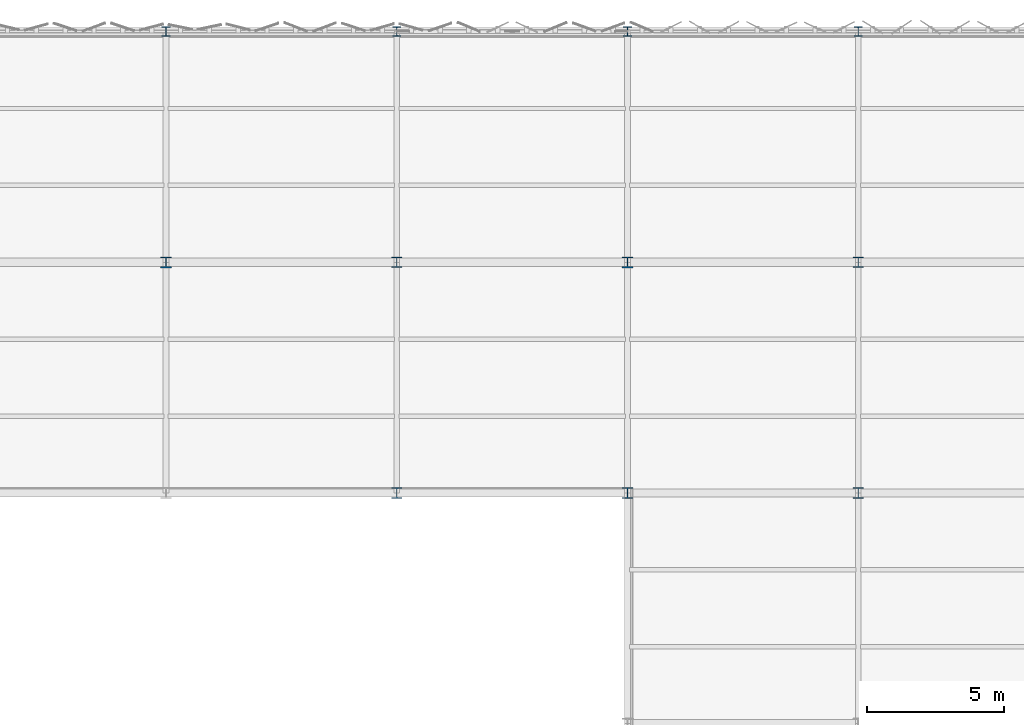
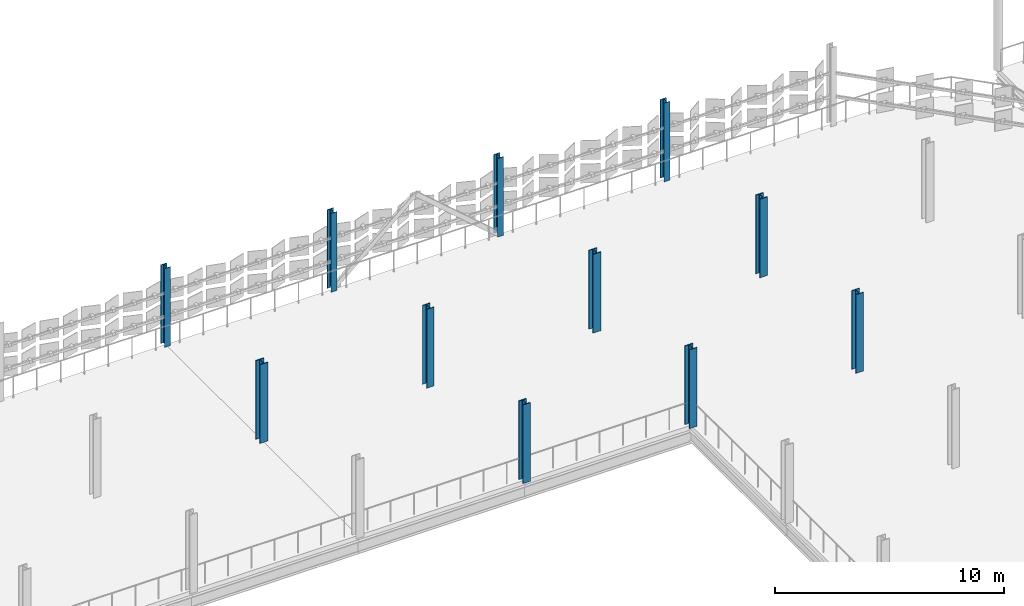
# One storey, part 16 of 163: 11 columns.
"""IFC4 building model written with IfcOpenShell, lengths in metres."""

from ifc_helpers import new_model, si_unit, direction, frame, origin, origin_2d, place, context, subcontext, project, spatial, i_section, extrude, material, material_profile, profile_set, type_object, element, save


model = new_model("IFC4")

# Units and contexts
model_context = context("Model", 3, precision=1e-05, world=origin(), true_north=direction((0.0, 1.0)))
body_context = subcontext(model_context, "Body", "Model", "MODEL_VIEW")
ifc_project = project(units=[si_unit("LENGTHUNIT", "METRE"), si_unit("AREAUNIT", "SQUARE_METRE"), si_unit("VOLUMEUNIT", "CUBIC_METRE"), si_unit("PLANEANGLEUNIT", "RADIAN"), si_unit("MASSUNIT", "GRAM", prefix="KILO")], contexts=[model_context])

# Site, building, storey
site_placement = place(None, origin())
site = spatial("IfcSite", under=ifc_project, at=site_placement, CompositionType="ELEMENT")
building_placement = place(site_placement, origin())
building = spatial("IfcBuilding", under=site, at=building_placement, Name="Qalvenar Corner Mobility Hub", CompositionType="ELEMENT")
storey_placement = place(building_placement, frame((0.0, 0.0, 4.800048828125)))
storey = spatial("IfcBuildingStorey", under=building, at=storey_placement, Name="L01", CompositionType="ELEMENT", Elevation=4.800048828125)

# Columns
ifc_material = material(Name="Steel S355", Category="steel")
ifc_material_profile_1 = material_profile(ifc_material, i_section(OverallWidth=0.376953125, OverallDepth=0.386962890625, WebThickness=0.0224609375, FlangeThickness=0.035888671875, FilletRadius=0.014892578125, at=origin_2d()), Name="HD360x262")
ifc_profile_set_1 = profile_set([ifc_material_profile_1], Name="Steel S355")
column_type_1 = type_object("IfcColumnType", Name="COL-HD360X262", PredefinedType="COLUMN", material=ifc_profile_set_1)
for number, where, z_axis, x_axis, name in (
    (1, (109.199951171875, 100.800048828125, 0.0), (0.0, 0.0, 1.0), (1.0, 0.0, 0.0), "Steel Column L01-G14-12"),
    (2, (109.199951171875, 109.199951171875, 0.0), (0.0, 0.0, 1.0), (1.0, 0.0, 0.0), "Steel Column L01-G14-13"),
    (3, (126.0, 100.800048828125, 0.0), (0.0, 0.0, 1.0), (1.0, 0.0, 0.0), "Steel Column L01-G16-12"),
    (4, (126.0, 109.199951171875, 0.0), (0.0, 0.0, 1.0), (1.0, 0.0, 0.0), "Steel Column L01-G16-13"),
):
    element("IfcColumn", number, at=place(storey_placement, frame(where, z_axis=z_axis, x_axis=x_axis)), inside=storey, type_object=column_type_1, Name=name, PredefinedType="COLUMN", context=body_context, shape_type="SweptSolid", body=[
        extrude(i_section(OverallWidth=0.376953125, OverallDepth=0.386962890625, WebThickness=0.0224609375, FlangeThickness=0.035888671875, FilletRadius=0.014892578125, at=origin_2d()), origin(), (0.0, 0.0, 1.0), 4.199951171875),
    ])
ifc_material_profile_2 = material_profile(ifc_material, i_section(OverallWidth=0.40087890625, OverallDepth=0.39892578125, WebThickness=0.02490234375, FlangeThickness=0.03955078125, FilletRadius=0.014892578125, at=origin_2d()), Name="HD400x314")
ifc_profile_set_2 = profile_set([ifc_material_profile_2], Name="Steel S355")
column_type_2 = type_object("IfcColumnType", Name="COL-HD400X314", PredefinedType="COLUMN", material=ifc_profile_set_2)
for number, where, z_axis, x_axis, name in (
    (5, (100.800048828125, 109.199951171875, 0.0), (0.0, 0.0, 1.0), (1.0, 0.0, 0.0), "Steel Column L01-G13-13"),
    (6, (117.60009765625, 100.800048828125, 0.0), (0.0, 0.0, 1.0), (1.0, 0.0, 0.0), "Steel Column L01-G15-12"),
    (7, (117.60009765625, 109.199951171875, 0.0), (0.0, 0.0, 1.0), (1.0, 0.0, 0.0), "Steel Column L01-G15-13"),
):
    element("IfcColumn", number, at=place(storey_placement, frame(where, z_axis=z_axis, x_axis=x_axis)), inside=storey, type_object=column_type_2, Name=name, PredefinedType="COLUMN", context=body_context, shape_type="SweptSolid", body=[
        extrude(i_section(OverallWidth=0.40087890625, OverallDepth=0.39892578125, WebThickness=0.02490234375, FlangeThickness=0.03955078125, FilletRadius=0.014892578125, at=origin_2d()), origin(), (0.0, 0.0, 1.0), 4.199951171875),
    ])
ifc_material_profile_3 = material_profile(ifc_material, i_section(OverallWidth=0.300048828125, OverallDepth=0.35009765625, WebThickness=0.010009765625, FlangeThickness=0.017578125, FilletRadius=0.027099609375, at=origin_2d()), Name="HEA360")
ifc_profile_set_3 = profile_set([ifc_material_profile_3], Name="Steel S355")
column_type_3 = type_object("IfcColumnType", Name="COL-HEA360", PredefinedType="COLUMN", material=ifc_profile_set_3)
for number, where, z_axis, x_axis, name in (
    (8, (109.199951171875, 117.60009765625, 0.0), (0.0, 0.0, 1.0), (1.0, 0.0, 0.0), "Steel Column L01-G14-14"),
    (9, (126.0, 117.60009765625, 0.0), (0.0, 0.0, 1.0), (1.0, 0.0, 0.0), "Steel Column L01-G16-14"),
):
    element("IfcColumn", number, at=place(storey_placement, frame(where, z_axis=z_axis, x_axis=x_axis)), inside=storey, type_object=column_type_3, Name=name, PredefinedType="COLUMN", context=body_context, shape_type="SweptSolid", body=[
        extrude(i_section(OverallWidth=0.300048828125, OverallDepth=0.35009765625, WebThickness=0.010009765625, FlangeThickness=0.017578125, FilletRadius=0.027099609375, at=origin_2d()), origin(), (0.0, 0.0, 1.0), 4.199951171875),
    ])
ifc_material_profile_4 = material_profile(ifc_material, i_section(OverallWidth=0.300048828125, OverallDepth=0.360107421875, WebThickness=0.012451171875, FlangeThickness=0.0224609375, FilletRadius=0.027099609375, at=origin_2d()), Name="HEB360")
ifc_profile_set_4 = profile_set([ifc_material_profile_4], Name="Steel S355")
column_type_4 = type_object("IfcColumnType", Name="COL-HEB360", PredefinedType="COLUMN", material=ifc_profile_set_4)
for number, where, z_axis, x_axis, name in (
    (10, (100.800048828125, 117.60009765625, 0.0), (0.0, 0.0, 1.0), (1.0, 0.0, 0.0), "Steel Column L01-G13-14"),
    (11, (117.60009765625, 117.60009765625, 0.0), (0.0, 0.0, 1.0), (1.0, 0.0, 0.0), "Steel Column L01-G15-14"),
):
    element("IfcColumn", number, at=place(storey_placement, frame(where, z_axis=z_axis, x_axis=x_axis)), inside=storey, type_object=column_type_4, Name=name, PredefinedType="COLUMN", context=body_context, shape_type="SweptSolid", body=[
        extrude(i_section(OverallWidth=0.300048828125, OverallDepth=0.360107421875, WebThickness=0.012451171875, FlangeThickness=0.0224609375, FilletRadius=0.027099609375, at=origin_2d()), origin(), (0.0, 0.0, 1.0), 4.199951171875),
    ])

save(model, "model.ifc")
